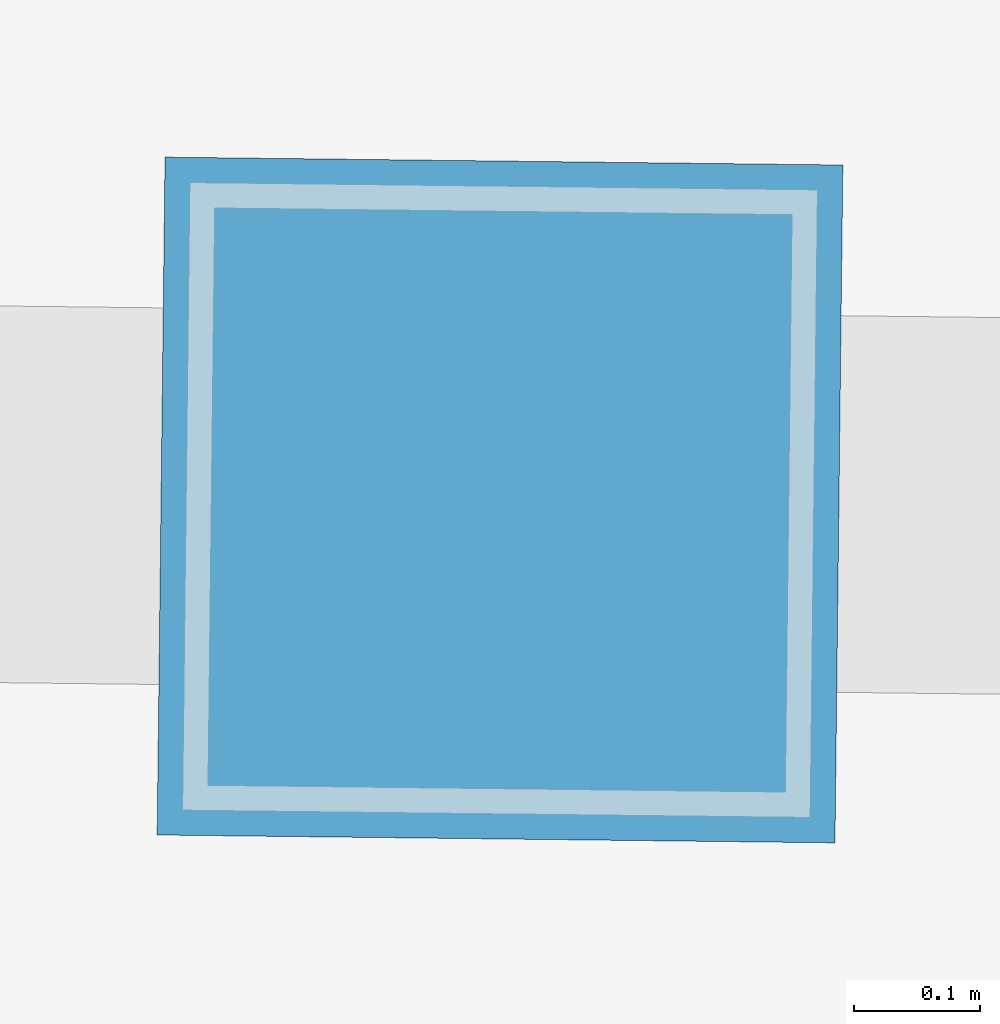
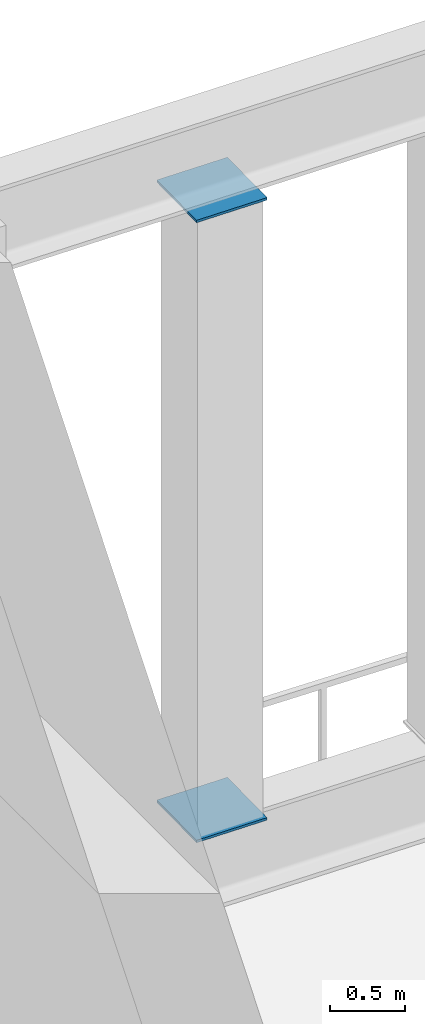
# One storey, part 25 of 33: 2 discrete accessories.
"""IFC4 building model written with IfcOpenShell, lengths in metres."""

import ifcopenshell
import ifcopenshell.guid

model = None  # the IFC model being written
_history = None  # IfcOwnerHistory: only IFC2X3 demands one
_inside = {}  # id of a spatial element -> (the spatial element, [elements in it])
_under = {}  # id of a project, library or spatial element -> (it, [spatial elements below it])
_declared = {}  # id of a project -> (the project, [libraries it declares])
_typed = {}  # id of a type object -> (the type object, [elements of that type])
_made_of = {}  # id of a material, layer set ... -> (it, [elements and type objects made of it])


def new_model(schema):
    """Start an empty IFC model of exactly this schema.

    Asked for "IFC4X3", IfcOpenShell would pick the latest addendum, in which some entities
    have other attributes; the version numbers below select the first issue.
    IFC2X3 requires an IfcOwnerHistory on every rooted entity: one is made here for all.
    """
    global model, _history
    if schema == "IFC4X3":
        model = ifcopenshell.file(schema_version=(4, 3, 0, 0))
    else:
        model = ifcopenshell.file(schema=schema)
    _inside.clear()
    _under.clear()
    _declared.clear()
    _typed.clear()
    _made_of.clear()
    _history = None
    if model.schema == "IFC2X3":
        org = make("IfcOrganization", Name="unknown")
        user = make(
            "IfcPersonAndOrganization",
            ThePerson=make("IfcPerson", FamilyName="unknown"),
            TheOrganization=org,
        )
        app = make(
            "IfcApplication",
            ApplicationDeveloper=org,
            Version="unknown",
            ApplicationFullName="unknown",
            ApplicationIdentifier="unknown",
        )
        _history = make(
            "IfcOwnerHistory",
            OwningUser=user,
            OwningApplication=app,
            ChangeAction="ADDED",
            CreationDate=0,
        )
    return model


def make(cls, **values):
    """One entity of the class cls with the attributes given. An attribute that is None is left unset."""
    return model.create_entity(
        cls, **{name: value for name, value in values.items() if value is not None}
    )


def rooted(cls, **values):
    """An entity with a GlobalId (a new one), such as an element, a storey or a relation."""
    return make(cls, GlobalId=ifcopenshell.guid.new(), OwnerHistory=_history, **values)


def si_unit(unit_type, name, prefix=None):
    """IfcSIUnit, for example si_unit("LENGTHUNIT", "METRE", prefix="MILLI")."""
    return make("IfcSIUnit", UnitType=unit_type, Prefix=prefix, Name=name)


def assignment(units):
    """IfcUnitAssignment: the units of a project."""
    return None if units is None else make("IfcUnitAssignment", Units=units)


def point(xyz):
    """IfcCartesianPoint."""
    return None if xyz is None else make("IfcCartesianPoint", Coordinates=xyz)


def direction(xyz):
    """IfcDirection."""
    return None if xyz is None else make("IfcDirection", DirectionRatios=xyz)


def frame(location, z_axis=None, x_axis=None):
    """IfcAxis2Placement3D, a coordinate frame: its origin and axes. An axis left out is left unset."""
    return make(
        "IfcAxis2Placement3D",
        Location=point(location),
        Axis=direction(z_axis),
        RefDirection=direction(x_axis),
    )


def frame_2d(location, x_axis=None):
    """IfcAxis2Placement2D, a coordinate frame in the plane: its origin and x axis."""
    return make(
        "IfcAxis2Placement2D", Location=point(location), RefDirection=direction(x_axis)
    )


def origin():
    """The frame at (0, 0, 0) with its axes left unset."""
    return frame((0.0, 0.0, 0.0))


def origin_2d():
    """The frame at (0, 0) in the plane with its x axis left unset."""
    return frame_2d((0.0, 0.0))


def place(relative_to, where):
    """IfcLocalPlacement: puts the frame where relative to a parent placement (None: the world)."""
    return make(
        "IfcLocalPlacement", PlacementRelTo=relative_to, RelativePlacement=where
    )


def context(
    kind, dimensions, precision=None, world=None, true_north=None, identifier=None
):
    """IfcGeometricRepresentationContext, for example the 3D "Model" context."""
    return make(
        "IfcGeometricRepresentationContext",
        ContextIdentifier=identifier,
        ContextType=kind,
        CoordinateSpaceDimension=dimensions,
        Precision=precision,
        WorldCoordinateSystem=world,
        TrueNorth=true_north,
    )


def subcontext(parent, identifier, kind, view, scale=None):
    """IfcGeometricRepresentationSubContext, for example "Body" below "Model"."""
    return make(
        "IfcGeometricRepresentationSubContext",
        ContextIdentifier=identifier,
        ContextType=kind,
        ParentContext=parent,
        TargetScale=scale,
        TargetView=view,
    )


def project(units=None, contexts=None):
    """IfcProject with its units and contexts."""
    return rooted(
        "IfcProject",
        Name="project",
        RepresentationContexts=contexts,
        UnitsInContext=assignment(units),
    )


def spatial(cls, under=None, at=None, **own):
    """A site, building, storey or space (cls), placed at a placement, below another one or the project."""
    s = rooted(cls, ObjectPlacement=at, **own)
    if under is not None:
        _under.setdefault(under.id(), (under, []))[1].append(s)
    return s


def profile(cls, at=None, kind="AREA", **sizes):
    """A parametric profile (cls). Its sizes go by their IFC names, for example OverallWidth=200.0."""
    return make(cls, ProfileType=kind, Position=at, **sizes)


def rectangle(**sizes):
    """IfcRectangleProfileDef."""
    return profile("IfcRectangleProfileDef", **sizes)


def extrude(swept, where, along, depth):
    """IfcExtrudedAreaSolid: the profile swept, set in the frame where, extruded along a direction by depth."""
    return make(
        "IfcExtrudedAreaSolid",
        SweptArea=swept,
        Position=where,
        ExtrudedDirection=direction(along),
        Depth=depth,
    )


def shape(context_of_items, identifier, shape_type, items):
    """IfcShapeRepresentation: the items that make up one representation, for example the "Body"."""
    return make(
        "IfcShapeRepresentation",
        ContextOfItems=context_of_items,
        RepresentationIdentifier=identifier,
        RepresentationType=shape_type,
        Items=items,
    )


def material(Name=None, Category=None):
    """IfcMaterial."""
    return make("IfcMaterial", Name=Name, Category=Category)


def layer(
    of_material, thickness, ventilated=None, Name=None, Category=None, Priority=None
):
    """IfcMaterialLayer: one layer of a wall or slab, of a material (None: an air gap)."""
    return make(
        "IfcMaterialLayer",
        Material=of_material,
        LayerThickness=thickness,
        IsVentilated=ventilated,
        Name=Name,
        Category=Category,
        Priority=Priority,
    )


def layer_set(layers, Name=None):
    """IfcMaterialLayerSet."""
    return make("IfcMaterialLayerSet", MaterialLayers=layers, LayerSetName=Name)


def made_of(thing, what):
    """Note that an element or type object is made of a material, layer set ...; save() writes the relation."""
    if what is not None:
        _made_of.setdefault(what.id(), (what, []))[1].append(thing)
    return thing


def type_object(cls, material=None, **own):
    """A type object (cls), such as IfcWallType, which elements share."""
    return made_of(rooted(cls, **own), material)


def element(
    cls,
    number,
    at=None,
    inside=None,
    cuts=None,
    type_object=None,
    material=None,
    context=None,
    identifier="Body",
    shape_type=None,
    held_by="IfcProductDefinitionShape",
    body=None,
    shapes=None,
    **own,
):
    """One element of the class cls, such as IfcWall. Its Tag is "e" and its number.

    at: its placement. inside: the storey or other place that contains it. cuts: it is an
    opening in that element (IfcRelVoidsElement). A single representation is given by context,
    identifier, shape_type and body (its items); several are given by shapes. held_by: the class
    of the entity that holds the representations. save() writes the other relations.
    """
    e = rooted(cls, Tag="e%d" % number, ObjectPlacement=at, **own)
    if body is not None:
        shapes = [shape(context, identifier, shape_type, body)]
    if shapes is not None:
        e.Representation = make(held_by, Representations=shapes)
    if inside is not None:
        _inside.setdefault(inside.id(), (inside, []))[1].append(e)
    if cuts is not None:
        rooted(
            "IfcRelVoidsElement", RelatingBuildingElement=cuts, RelatedOpeningElement=e
        )
    if type_object is not None:
        _typed.setdefault(type_object.id(), (type_object, []))[1].append(e)
    return made_of(e, material)


def aggregate(whole, parts):
    """IfcRelAggregates: a whole, such as a stair, and the parts it consists of."""
    return rooted("IfcRelAggregates", RelatingObject=whole, RelatedObjects=parts)


def save(model, path):
    """Write the relations noted so far, then the file.

    IfcRelAggregates (storeys below a building ...), IfcRelContainedInSpatialStructure (elements
    in a storey), IfcRelDefinesByType, IfcRelAssociatesMaterial and IfcRelDeclares: one each for
    every whole, place, type object, material and project.
    """
    for whole, parts in _under.values():
        aggregate(whole, parts)
    for where, things in _inside.values():
        rooted(
            "IfcRelContainedInSpatialStructure",
            RelatedElements=things,
            RelatingStructure=where,
        )
    for kind, things in _typed.values():
        rooted("IfcRelDefinesByType", RelatedObjects=things, RelatingType=kind)
    for what, things in _made_of.values():
        rooted("IfcRelAssociatesMaterial", RelatedObjects=things, RelatingMaterial=what)
    for by, libraries in _declared.values():
        rooted("IfcRelDeclares", RelatingContext=by, RelatedDefinitions=libraries)
    model.write(path)


model = new_model("IFC4")

# Units and contexts
model_context = context("Model", 3, precision=1e-05, world=origin(), true_north=direction((0.0, 1.0)))
body_context = subcontext(model_context, "Body", "Model", "MODEL_VIEW")
ifc_project = project(units=[si_unit("LENGTHUNIT", "METRE"), si_unit("AREAUNIT", "SQUARE_METRE"), si_unit("VOLUMEUNIT", "CUBIC_METRE"), si_unit("PLANEANGLEUNIT", "RADIAN"), si_unit("MASSUNIT", "GRAM", prefix="KILO")], contexts=[model_context])

# Site, building, storey
site_placement = place(None, origin())
site = spatial("IfcSite", under=ifc_project, at=site_placement, CompositionType="ELEMENT")
building_placement = place(site_placement, origin())
building = spatial("IfcBuilding", under=site, at=building_placement, Name="Mangrove Gate Tower", CompositionType="ELEMENT")
storey_placement = place(building_placement, frame((0.0, 0.0, 219.5)))
storey = spatial("IfcBuildingStorey", under=building, at=storey_placement, Name="L56", CompositionType="ELEMENT", Elevation=219.5)

# Discrete accessories
ifc_material = material(Name="Steel S355J2H", Category="steel")
ifc_layer = layer(ifc_material, 0.02001953125)
ifc_layer_set = layer_set([ifc_layer], Name="Belt truss end plate 540x540x20")
discrete_accessory_type = type_object("IfcDiscreteAccessoryType", Name="Belt truss end plate 540x540x20", PredefinedType="ANCHORPLATE", material=ifc_layer_set)
for number, where, z_axis, x_axis, name in (
    (1, (15.889404296875, 23.8359375, 0.68994140625), (0.0, 0.0, 1.0), (-0.999932615041, 0.011608849119, 0.0), "Belt truss end plate L56 19-2 bottom"),
    (2, (15.889404296875, 23.8359375, 5.739990234375), (0.0, 0.0, 1.0), (-0.999932615041, 0.011608849119, 0.0), "Belt truss end plate L56 19-2 top"),
):
    element("IfcDiscreteAccessory", number, at=place(storey_placement, frame(where, z_axis=z_axis, x_axis=x_axis)), inside=storey, type_object=discrete_accessory_type, Name=name, PredefinedType="ANCHORPLATE", context=body_context, shape_type="SweptSolid", body=[
        extrude(rectangle(XDim=0.5400390625, YDim=0.5400390625, at=origin_2d()), origin(), (0.0, 0.0, 1.0), 0.02001953125),
    ])

save(model, "model.ifc")
